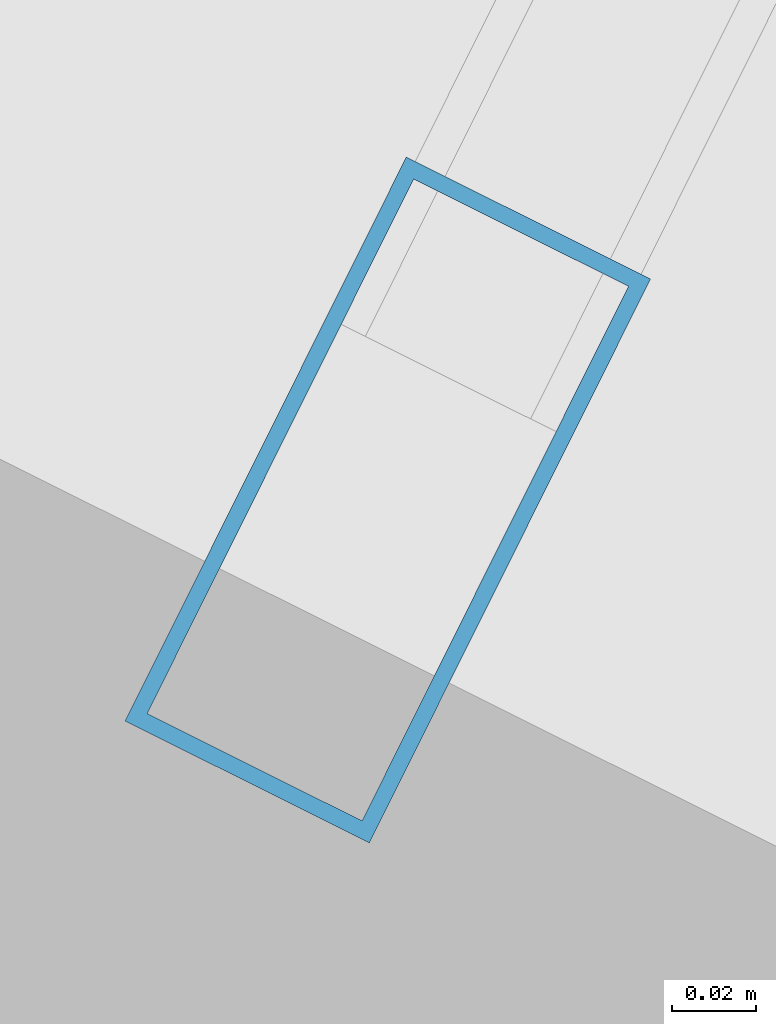
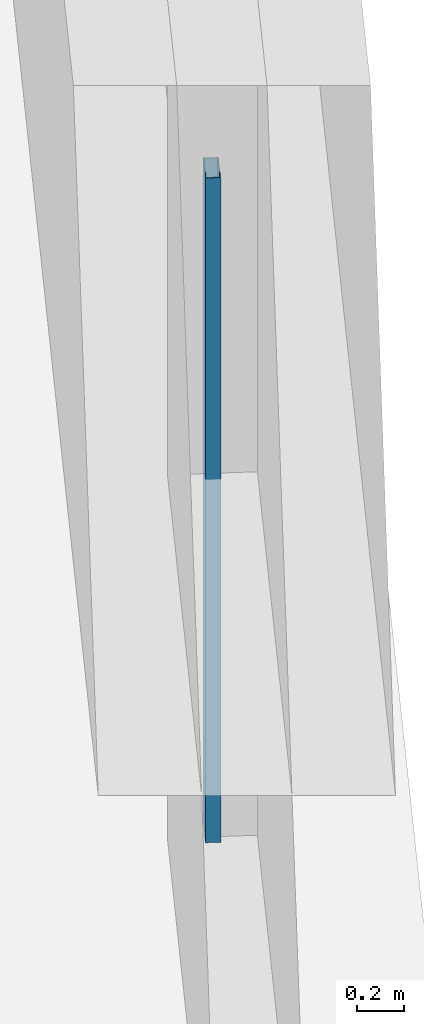
# One storey, part 22 of 39: 1 member, 1 element without a shape of its own.
"""IFC4 building model written with IfcOpenShell, lengths in metres."""

from ifc_helpers import new_model, si_unit, direction, frame, origin, origin_2d, place, context, subcontext, project, spatial, hollow_rectangle, extrude, source, transform, mapped, material, layer, layer_set, material_profile, profile_set, type_object, element, aggregate, save


model = new_model("IFC4")

# Units and contexts
model_context = context("Model", 3, precision=1e-05, world=origin(), true_north=direction((0.0, 1.0)))
body_context = subcontext(model_context, "Body", "Model", "MODEL_VIEW")
ifc_project = project(units=[si_unit("LENGTHUNIT", "METRE"), si_unit("AREAUNIT", "SQUARE_METRE"), si_unit("VOLUMEUNIT", "CUBIC_METRE"), si_unit("PLANEANGLEUNIT", "RADIAN"), si_unit("MASSUNIT", "GRAM", prefix="KILO")], contexts=[model_context])

# Site, building, storey
site_placement = place(None, origin())
site = spatial("IfcSite", under=ifc_project, at=site_placement, CompositionType="ELEMENT")
building_placement = place(site_placement, origin())
building = spatial("IfcBuilding", under=site, at=building_placement, Name="Liaohun Quay Tower", CompositionType="ELEMENT")
storey_placement = place(building_placement, frame((0.0, 0.0, 189.75)))
storey = spatial("IfcBuildingStorey", under=building, at=storey_placement, Name="L49", CompositionType="ELEMENT", Elevation=189.75)

# Curtain wall, member
ifc_material_1 = material(Name="Mid-height zone-break sky-lobby curtain wall")
ifc_layer = layer(ifc_material_1, 0.199951171875, Name="Mid-height zone-break sky-lobby curtain wall")
ifc_layer_set = layer_set([ifc_layer], Name="Mid-height zone-break sky-lobby curtain wall")
curtain_wall_type = type_object("IfcCurtainWallType", Name="CW-SKY-L49", PredefinedType="NOTDEFINED", material=ifc_layer_set)
curtain_wall_placement = place(storey_placement, origin())
curtain_wall = element("IfcCurtainWall", 1, at=curtain_wall_placement, inside=storey, type_object=curtain_wall_type, Name="L49 Panoramic Belvedere Curtain Wall 02", PredefinedType="NOTDEFINED")
ifc_material_2 = material(Name="Anodised aluminium 6063-T6", Category="aluminium")
ifc_material_profile = material_profile(ifc_material_2, hollow_rectangle(XDim=0.06494140625, YDim=0.14990234375, WallThickness=0.00390625, at=origin_2d()), Name="RHS150x65x4")
ifc_profile_set = profile_set([ifc_material_profile], Name="Anodised aluminium 6063-T6")
member_type = type_object("IfcMemberType", Name="MEM-CWM-SKY", PredefinedType="MULLION", material=ifc_profile_set)
shared_shape = source(origin(), body_context, "Body", "SweptSolid", [
    extrude(hollow_rectangle(XDim=0.06494140625, YDim=0.14990234375, WallThickness=0.00390625, at=origin_2d()), origin(), (0.0, 0.0, 1.0), 3.419921875),
])
member_placement = place(storey_placement, frame((85.724609375, 50.451171875, 0.0), z_axis=(0.0, 0.0, 1.0), x_axis=(-0.894926591064, 0.446213398059, 0.0)))
member = element("IfcMember", 2, at=member_placement, type_object=member_type, Name="CW4 mullion 1", PredefinedType="MULLION", context=body_context, shape_type="MappedRepresentation", body=[
    mapped(shared_shape, transform((0.0, 0.0, 0.0), x_axis=(1.0, 0.0, 0.0), y_axis=(0.0, 1.0, 0.0), z_axis=(0.0, 0.0, 1.0), scale=1.0)),
])
aggregate(curtain_wall, [member])

save(model, "model.ifc")
